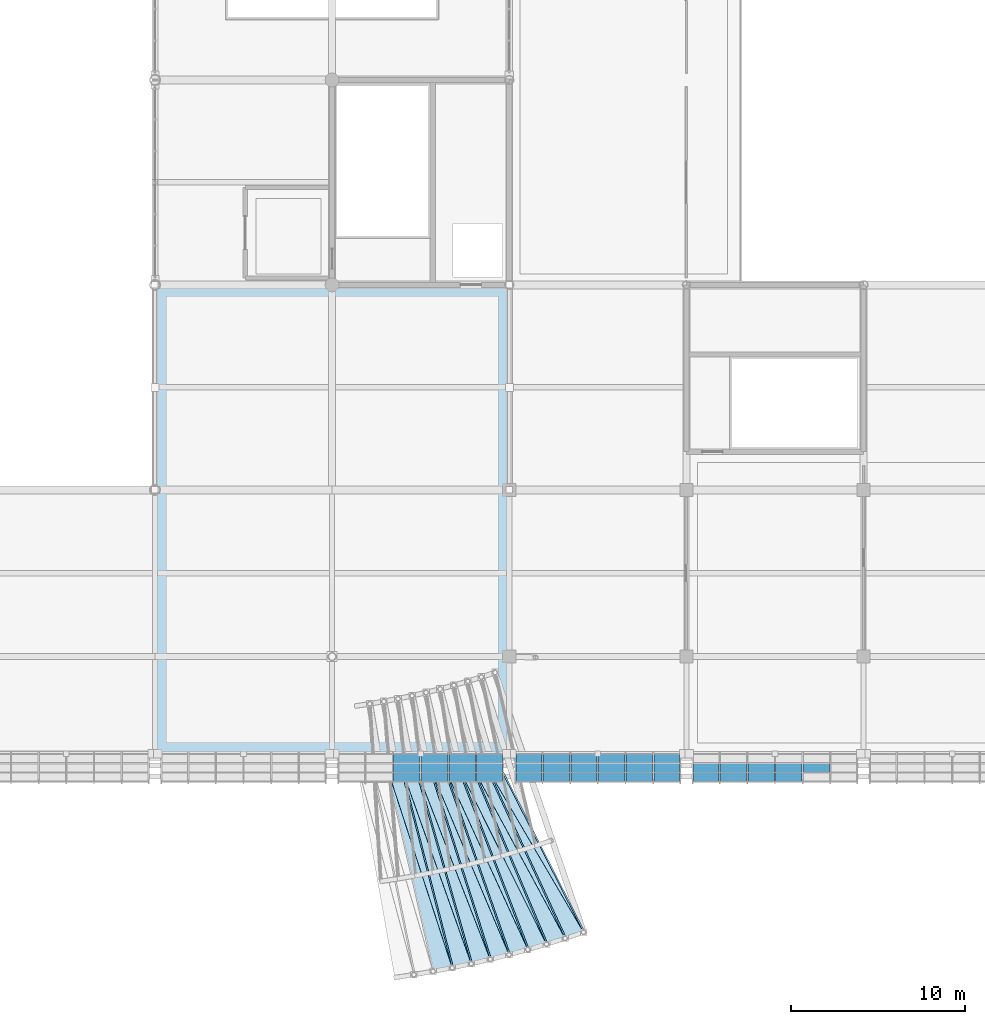
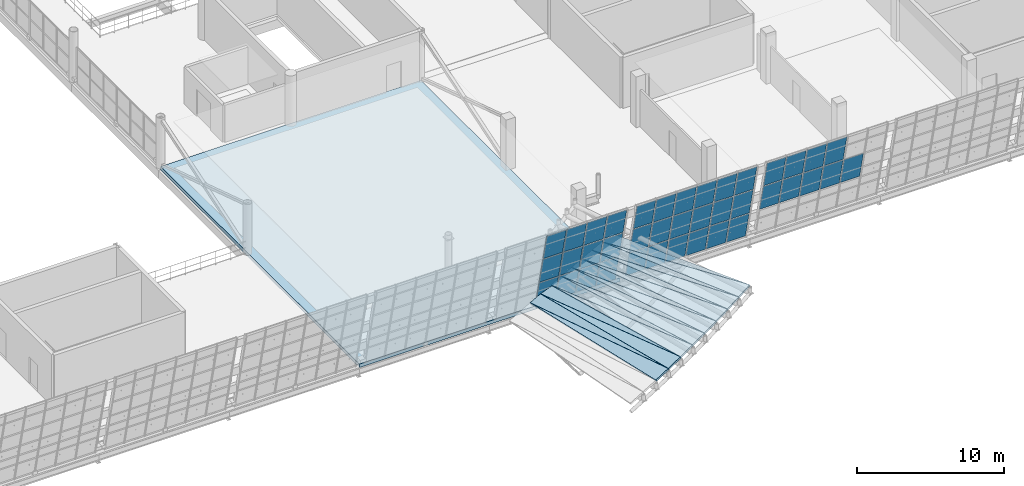
# One storey, part 111 of 157: 39 plates, 17 slabs, 3 elements without a shape of their own.
"""IFC4 building model written with IfcOpenShell, lengths in metres."""

from ifc_helpers import new_model, si_unit, direction, frame, origin, place, context, subcontext, project, spatial, polyline, outline, extrude, material, layer, layer_set, type_object, element, aggregate, save


model = new_model("IFC4")

# Units and contexts
model_context = context("Model", 3, precision=1e-05, world=origin(), true_north=direction((0.0, 1.0)))
body_context = subcontext(model_context, "Body", "Model", "MODEL_VIEW")
ifc_project = project(units=[si_unit("LENGTHUNIT", "METRE"), si_unit("AREAUNIT", "SQUARE_METRE"), si_unit("VOLUMEUNIT", "CUBIC_METRE"), si_unit("PLANEANGLEUNIT", "RADIAN"), si_unit("MASSUNIT", "GRAM", prefix="KILO")], contexts=[model_context])

# Site, building, storey
site_placement = place(None, origin())
site = spatial("IfcSite", under=ifc_project, at=site_placement, CompositionType="ELEMENT")
building_placement = place(site_placement, origin())
building = spatial("IfcBuilding", under=site, at=building_placement, Name="Brelvane Convention Centre", CompositionType="ELEMENT")
storey_placement = place(building_placement, frame((0.0, 0.0, 10.800048828125)))
storey = spatial("IfcBuildingStorey", under=building, at=storey_placement, Name="L02", CompositionType="ELEMENT", Elevation=10.800048828125)

# Curtain wall, plates
ifc_material_1 = material(Name="Anodised Aluminium Alloy 6063-T6", Category="aluminium")
curtain_wall_type = type_object("IfcCurtainWallType", Name="Curtain Wall CW-HULL-S", PredefinedType="USERDEFINED", material=ifc_material_1)
curtain_wall_1_placement = place(storey_placement, origin())
curtain_wall_1 = element("IfcCurtainWall", 1, at=curtain_wall_1_placement, inside=storey, type_object=curtain_wall_type, Name="Curtain Wall CW-HULL-S L02-HULL-S-L02-16", ObjectType="UNITISED", PredefinedType="USERDEFINED")
ifc_material_2 = material(Name="Double Glazed Low-E Laminated Unit")
ifc_layer_1 = layer(ifc_material_2, 0.0380859375)
ifc_layer_set_1 = layer_set([ifc_layer_1], Name="Double Glazed Low-E Laminated Unit")
plate_type_1 = type_object("IfcPlateType", Name="Curtain Panel CW-PG2", PredefinedType="CURTAIN_PANEL", material=ifc_layer_set_1)
plate_1_placement = place(storey_placement, frame((156.546630859375, 13.05517578125, 2.3232421875), z_axis=(0.0, 0.973573977576, 0.228371868203), x_axis=(1.0, 0.0, 0.0)))
plate_1 = element("IfcPlate", 2, at=plate_1_placement, type_object=plate_type_1, Name="CW-HULL-S panel 3.2", PredefinedType="CURTAIN_PANEL", context=body_context, shape_type="SweptSolid", body=[
    extrude(outline(polyline([(0.0, 0.0), (1.513427734375, 0.0), (1.513427734375, -2.2631758771022032), (0.0, -2.2631758771022032), (0.0, 0.0)])), origin(), (0.0, 0.0, -1.0), 0.0380859375),
])
plate_2_placement = place(storey_placement, frame((156.546630859375, 12.51953125, 4.606689453125), z_axis=(0.0, 0.973586933466, 0.228316628794), x_axis=(1.0, 0.0, 0.0)))
plate_2 = element("IfcPlate", 3, at=plate_2_placement, type_object=plate_type_1, Name="CW-HULL-S panel 3.3", PredefinedType="CURTAIN_PANEL", context=body_context, shape_type="SweptSolid", body=[
    extrude(outline(polyline([(0.0, 0.0), (1.513427734375, 0.0), (1.513427734375, -2.2220204521674902), (0.0, -2.2220204521674902), (0.0, 0.0)])), origin(), (0.0, 0.0, -1.0), 0.0380859375),
])
plate_3_placement = place(storey_placement, frame((158.139892578125, 13.05517578125, 2.3232421875), z_axis=(0.0, 0.973573977576, 0.228371868203), x_axis=(1.0, 0.0, 0.0)))
plate_3 = element("IfcPlate", 4, at=plate_3_placement, type_object=plate_type_1, Name="CW-HULL-S panel 4.2", PredefinedType="CURTAIN_PANEL", context=body_context, shape_type="SweptSolid", body=[
    extrude(outline(polyline([(0.0, 0.0), (1.513427734375, 0.0), (1.513427734375, -2.2631758771022032), (0.0, -2.2631758771022032), (0.0, 0.0)])), origin(), (0.0, 0.0, -1.0), 0.0380859375),
])
plate_4_placement = place(storey_placement, frame((158.139892578125, 12.51953125, 4.606689453125), z_axis=(0.0, 0.973586933466, 0.228316628794), x_axis=(1.0, 0.0, 0.0)))
plate_4 = element("IfcPlate", 5, at=plate_4_placement, type_object=plate_type_1, Name="CW-HULL-S panel 4.3", PredefinedType="CURTAIN_PANEL", context=body_context, shape_type="SweptSolid", body=[
    extrude(outline(polyline([(0.0, 0.0), (1.513427734375, 0.0), (1.513427734375, -2.2220204521674902), (0.0, -2.2220204521674902), (0.0, 0.0)])), origin(), (0.0, 0.0, -1.0), 0.0380859375),
])
plate_5_placement = place(storey_placement, frame((159.7333984375, 13.05517578125, 2.3232421875), z_axis=(0.0, 0.973573977576, 0.228371868203), x_axis=(1.0, 0.0, 0.0)))
plate_5 = element("IfcPlate", 6, at=plate_5_placement, type_object=plate_type_1, Name="CW-HULL-S panel 5.2", PredefinedType="CURTAIN_PANEL", context=body_context, shape_type="SweptSolid", body=[
    extrude(outline(polyline([(0.0, 0.0), (1.51318359375, 0.0), (1.51318359375, -2.2631758771022032), (0.0, -2.2631758771022032), (0.0, 0.0)])), origin(), (0.0, 0.0, -1.0), 0.0380859375),
])
plate_6_placement = place(storey_placement, frame((159.7333984375, 12.51953125, 4.606689453125), z_axis=(0.0, 0.973586933466, 0.228316628794), x_axis=(1.0, 0.0, 0.0)))
plate_6 = element("IfcPlate", 7, at=plate_6_placement, type_object=plate_type_1, Name="CW-HULL-S panel 5.3", PredefinedType="CURTAIN_PANEL", context=body_context, shape_type="SweptSolid", body=[
    extrude(outline(polyline([(0.0, 0.0), (1.51318359375, 0.0), (1.51318359375, -2.2220204521674902), (0.0, -2.2220204521674902), (0.0, 0.0)])), origin(), (0.0, 0.0, -1.0), 0.0380859375),
])
plate_7_placement = place(storey_placement, frame((161.32666015625, 13.05517578125, 2.3232421875), z_axis=(0.0, 0.973573977576, 0.228371868203), x_axis=(1.0, 0.0, 0.0)))
plate_7 = element("IfcPlate", 8, at=plate_7_placement, type_object=plate_type_1, Name="CW-HULL-S panel 6.2", PredefinedType="CURTAIN_PANEL", context=body_context, shape_type="SweptSolid", body=[
    extrude(outline(polyline([(0.0, 0.0), (1.473388671875, 0.0), (1.473388671875, -2.2631758771022032), (0.0, -2.2631758771022032), (0.0, 0.0)])), origin(), (0.0, 0.0, -1.0), 0.0380859375),
])
plate_8_placement = place(storey_placement, frame((161.32666015625, 12.51953125, 4.606689453125), z_axis=(0.0, 0.973586933466, 0.228316628794), x_axis=(1.0, 0.0, 0.0)))
plate_8 = element("IfcPlate", 9, at=plate_8_placement, type_object=plate_type_1, Name="CW-HULL-S panel 6.3", PredefinedType="CURTAIN_PANEL", context=body_context, shape_type="SweptSolid", body=[
    extrude(outline(polyline([(0.0, 0.0), (1.473388671875, 0.0), (1.473388671875, -2.2220204521674902), (0.0, -2.2220204521674902), (0.0, 0.0)])), origin(), (0.0, 0.0, -1.0), 0.0380859375),
])

curtain_wall_2_placement = place(storey_placement, origin())
curtain_wall_2 = element("IfcCurtainWall", 10, at=curtain_wall_2_placement, inside=storey, type_object=curtain_wall_type, Name="Curtain Wall CW-HULL-S L02-HULL-S-L02-17", ObjectType="UNITISED", PredefinedType="USERDEFINED")
plate_9_placement = place(storey_placement, frame((163.60009765625, 13.05517578125, 2.3232421875), z_axis=(0.0, 0.973573977576, 0.228371868203), x_axis=(1.0, 0.0, 0.0)))
plate_9 = element("IfcPlate", 11, at=plate_9_placement, type_object=plate_type_1, Name="CW-HULL-S panel 1.2", PredefinedType="CURTAIN_PANEL", context=body_context, shape_type="SweptSolid", body=[
    extrude(outline(polyline([(0.0, 0.0), (1.47314453125, 0.0), (1.47314453125, -2.2631758771022032), (0.0, -2.2631758771022032), (0.0, 0.0)])), origin(), (0.0, 0.0, -1.0), 0.0380859375),
])
plate_10_placement = place(storey_placement, frame((163.60009765625, 12.51953125, 4.606689453125), z_axis=(0.0, 0.973586933466, 0.228316628794), x_axis=(1.0, 0.0, 0.0)))
plate_10 = element("IfcPlate", 12, at=plate_10_placement, type_object=plate_type_1, Name="CW-HULL-S panel 1.3", PredefinedType="CURTAIN_PANEL", context=body_context, shape_type="SweptSolid", body=[
    extrude(outline(polyline([(0.0, 0.0), (1.47314453125, 0.0), (1.47314453125, -2.2220204521674902), (0.0, -2.2220204521674902), (0.0, 0.0)])), origin(), (0.0, 0.0, -1.0), 0.0380859375),
])
plate_11_placement = place(storey_placement, frame((165.1533203125, 13.05517578125, 2.3232421875), z_axis=(0.0, 0.973573977576, 0.228371868203), x_axis=(1.0, 0.0, 0.0)))
plate_11 = element("IfcPlate", 13, at=plate_11_placement, type_object=plate_type_1, Name="CW-HULL-S panel 2.2", PredefinedType="CURTAIN_PANEL", context=body_context, shape_type="SweptSolid", body=[
    extrude(outline(polyline([(0.0, 0.0), (1.513427734375, 0.0), (1.513427734375, -2.2631758771022032), (0.0, -2.2631758771022032), (0.0, 0.0)])), origin(), (0.0, 0.0, -1.0), 0.0380859375),
])
plate_12_placement = place(storey_placement, frame((165.1533203125, 12.51953125, 4.606689453125), z_axis=(0.0, 0.973586933466, 0.228316628794), x_axis=(1.0, 0.0, 0.0)))
plate_12 = element("IfcPlate", 14, at=plate_12_placement, type_object=plate_type_1, Name="CW-HULL-S panel 2.3", PredefinedType="CURTAIN_PANEL", context=body_context, shape_type="SweptSolid", body=[
    extrude(outline(polyline([(0.0, 0.0), (1.513427734375, 0.0), (1.513427734375, -2.2220204521674902), (0.0, -2.2220204521674902), (0.0, 0.0)])), origin(), (0.0, 0.0, -1.0), 0.0380859375),
])
plate_13_placement = place(storey_placement, frame((166.74658203125, 13.05517578125, 2.3232421875), z_axis=(0.0, 0.973573977576, 0.228371868203), x_axis=(1.0, 0.0, 0.0)))
plate_13 = element("IfcPlate", 15, at=plate_13_placement, type_object=plate_type_1, Name="CW-HULL-S panel 3.2", PredefinedType="CURTAIN_PANEL", context=body_context, shape_type="SweptSolid", body=[
    extrude(outline(polyline([(0.0, 0.0), (1.513427734375, 0.0), (1.513427734375, -2.2631758771022032), (0.0, -2.2631758771022032), (0.0, 0.0)])), origin(), (0.0, 0.0, -1.0), 0.0380859375),
])
plate_14_placement = place(storey_placement, frame((166.74658203125, 12.51953125, 4.606689453125), z_axis=(0.0, 0.973586933466, 0.228316628794), x_axis=(1.0, 0.0, 0.0)))
plate_14 = element("IfcPlate", 16, at=plate_14_placement, type_object=plate_type_1, Name="CW-HULL-S panel 3.3", PredefinedType="CURTAIN_PANEL", context=body_context, shape_type="SweptSolid", body=[
    extrude(outline(polyline([(0.0, 0.0), (1.513427734375, 0.0), (1.513427734375, -2.2220204521674902), (0.0, -2.2220204521674902), (0.0, 0.0)])), origin(), (0.0, 0.0, -1.0), 0.0380859375),
])
plate_15_placement = place(storey_placement, frame((168.340087890625, 13.05517578125, 2.3232421875), z_axis=(0.0, 0.973573977576, 0.228371868203), x_axis=(1.0, 0.0, 0.0)))
plate_15 = element("IfcPlate", 17, at=plate_15_placement, type_object=plate_type_1, Name="CW-HULL-S panel 4.2", PredefinedType="CURTAIN_PANEL", context=body_context, shape_type="SweptSolid", body=[
    extrude(outline(polyline([(0.0, 0.0), (1.51318359375, 0.0), (1.51318359375, -2.2631758771022032), (0.0, -2.2631758771022032), (0.0, 0.0)])), origin(), (0.0, 0.0, -1.0), 0.0380859375),
])
plate_16_placement = place(storey_placement, frame((168.340087890625, 12.51953125, 4.606689453125), z_axis=(0.0, 0.973586933466, 0.228316628794), x_axis=(1.0, 0.0, 0.0)))
plate_16 = element("IfcPlate", 18, at=plate_16_placement, type_object=plate_type_1, Name="CW-HULL-S panel 4.3", PredefinedType="CURTAIN_PANEL", context=body_context, shape_type="SweptSolid", body=[
    extrude(outline(polyline([(0.0, 0.0), (1.51318359375, 0.0), (1.51318359375, -2.2220204521674902), (0.0, -2.2220204521674902), (0.0, 0.0)])), origin(), (0.0, 0.0, -1.0), 0.0380859375),
])
plate_17_placement = place(storey_placement, frame((169.933349609375, 13.05517578125, 2.3232421875), z_axis=(0.0, 0.973573977576, 0.228371868203), x_axis=(1.0, 0.0, 0.0)))
plate_17 = element("IfcPlate", 19, at=plate_17_placement, type_object=plate_type_1, Name="CW-HULL-S panel 5.2", PredefinedType="CURTAIN_PANEL", context=body_context, shape_type="SweptSolid", body=[
    extrude(outline(polyline([(0.0, 0.0), (1.513427734375, 0.0), (1.513427734375, -2.2631758771022032), (0.0, -2.2631758771022032), (0.0, 0.0)])), origin(), (0.0, 0.0, -1.0), 0.0380859375),
])
plate_18_placement = place(storey_placement, frame((169.933349609375, 12.51953125, 4.606689453125), z_axis=(0.0, 0.973586933466, 0.228316628794), x_axis=(1.0, 0.0, 0.0)))
plate_18 = element("IfcPlate", 20, at=plate_18_placement, type_object=plate_type_1, Name="CW-HULL-S panel 5.3", PredefinedType="CURTAIN_PANEL", context=body_context, shape_type="SweptSolid", body=[
    extrude(outline(polyline([(0.0, 0.0), (1.513427734375, 0.0), (1.513427734375, -2.2220204521674902), (0.0, -2.2220204521674902), (0.0, 0.0)])), origin(), (0.0, 0.0, -1.0), 0.0380859375),
])
plate_19_placement = place(storey_placement, frame((171.526611328125, 13.05517578125, 2.3232421875), z_axis=(0.0, 0.973573977576, 0.228371868203), x_axis=(1.0, 0.0, 0.0)))
plate_19 = element("IfcPlate", 21, at=plate_19_placement, type_object=plate_type_1, Name="CW-HULL-S panel 6.2", PredefinedType="CURTAIN_PANEL", context=body_context, shape_type="SweptSolid", body=[
    extrude(outline(polyline([(0.0, 0.0), (1.473388671875, 0.0), (1.473388671875, -2.2631758771022032), (0.0, -2.2631758771022032), (0.0, 0.0)])), origin(), (0.0, 0.0, -1.0), 0.0380859375),
])
plate_20_placement = place(storey_placement, frame((171.526611328125, 12.51953125, 4.606689453125), z_axis=(0.0, 0.973586933466, 0.228316628794), x_axis=(1.0, 0.0, 0.0)))
plate_20 = element("IfcPlate", 22, at=plate_20_placement, type_object=plate_type_1, Name="CW-HULL-S panel 6.3", PredefinedType="CURTAIN_PANEL", context=body_context, shape_type="SweptSolid", body=[
    extrude(outline(polyline([(0.0, 0.0), (1.473388671875, 0.0), (1.473388671875, -2.2220204521674902), (0.0, -2.2220204521674902), (0.0, 0.0)])), origin(), (0.0, 0.0, -1.0), 0.0380859375),
])

curtain_wall_3_placement = place(storey_placement, origin())
curtain_wall_3 = element("IfcCurtainWall", 23, at=curtain_wall_3_placement, inside=storey, type_object=curtain_wall_type, Name="Curtain Wall CW-HULL-S L02-HULL-S-L02-18", ObjectType="UNITISED", PredefinedType="USERDEFINED")
plate_21_placement = place(storey_placement, frame((173.800048828125, 13.05517578125, 2.3232421875), z_axis=(0.0, 0.973573977576, 0.228371868203), x_axis=(1.0, 0.0, 0.0)))
plate_21 = element("IfcPlate", 24, at=plate_21_placement, type_object=plate_type_1, Name="CW-HULL-S panel 1.2", PredefinedType="CURTAIN_PANEL", context=body_context, shape_type="SweptSolid", body=[
    extrude(outline(polyline([(0.0, 0.0), (1.473388671875, 0.0), (1.473388671875, -2.2631758771022032), (0.0, -2.2631758771022032), (0.0, 0.0)])), origin(), (0.0, 0.0, -1.0), 0.0380859375),
])
plate_22_placement = place(storey_placement, frame((173.800048828125, 12.51953125, 4.606689453125), z_axis=(0.0, 0.973586933466, 0.228316628794), x_axis=(1.0, 0.0, 0.0)))
plate_22 = element("IfcPlate", 25, at=plate_22_placement, type_object=plate_type_1, Name="CW-HULL-S panel 1.3", PredefinedType="CURTAIN_PANEL", context=body_context, shape_type="SweptSolid", body=[
    extrude(outline(polyline([(0.0, 0.0), (1.473388671875, 0.0), (1.473388671875, -2.2220204521674902), (0.0, -2.2220204521674902), (0.0, 0.0)])), origin(), (0.0, 0.0, -1.0), 0.0380859375),
])
plate_23_placement = place(storey_placement, frame((175.353271484375, 13.05517578125, 2.3232421875), z_axis=(0.0, 0.973573977576, 0.228371868203), x_axis=(1.0, 0.0, 0.0)))
plate_23 = element("IfcPlate", 26, at=plate_23_placement, type_object=plate_type_1, Name="CW-HULL-S panel 2.2", PredefinedType="CURTAIN_PANEL", context=body_context, shape_type="SweptSolid", body=[
    extrude(outline(polyline([(0.0, 0.0), (1.513427734375, 0.0), (1.513427734375, -2.2631758771022032), (0.0, -2.2631758771022032), (0.0, 0.0)])), origin(), (0.0, 0.0, -1.0), 0.0380859375),
])
plate_24_placement = place(storey_placement, frame((175.353271484375, 12.51953125, 4.606689453125), z_axis=(0.0, 0.973586933466, 0.228316628794), x_axis=(1.0, 0.0, 0.0)))
plate_24 = element("IfcPlate", 27, at=plate_24_placement, type_object=plate_type_1, Name="CW-HULL-S panel 2.3", PredefinedType="CURTAIN_PANEL", context=body_context, shape_type="SweptSolid", body=[
    extrude(outline(polyline([(0.0, 0.0), (1.513427734375, 0.0), (1.513427734375, -2.2220204521674902), (0.0, -2.2220204521674902), (0.0, 0.0)])), origin(), (0.0, 0.0, -1.0), 0.0380859375),
])
plate_25_placement = place(storey_placement, frame((176.94677734375, 13.05517578125, 2.3232421875), z_axis=(0.0, 0.973573977576, 0.228371868203), x_axis=(1.0, 0.0, 0.0)))
plate_25 = element("IfcPlate", 28, at=plate_25_placement, type_object=plate_type_1, Name="CW-HULL-S panel 3.2", PredefinedType="CURTAIN_PANEL", context=body_context, shape_type="SweptSolid", body=[
    extrude(outline(polyline([(0.0, 0.0), (1.51318359375, 0.0), (1.51318359375, -2.2631758771022032), (0.0, -2.2631758771022032), (0.0, 0.0)])), origin(), (0.0, 0.0, -1.0), 0.0380859375),
])
plate_26_placement = place(storey_placement, frame((176.94677734375, 12.51953125, 4.606689453125), z_axis=(0.0, 0.973586933466, 0.228316628794), x_axis=(1.0, 0.0, 0.0)))
plate_26 = element("IfcPlate", 29, at=plate_26_placement, type_object=plate_type_1, Name="CW-HULL-S panel 3.3", PredefinedType="CURTAIN_PANEL", context=body_context, shape_type="SweptSolid", body=[
    extrude(outline(polyline([(0.0, 0.0), (1.51318359375, 0.0), (1.51318359375, -2.2220204521674902), (0.0, -2.2220204521674902), (0.0, 0.0)])), origin(), (0.0, 0.0, -1.0), 0.0380859375),
])
plate_27_placement = place(storey_placement, frame((178.5400390625, 13.05517578125, 2.3232421875), z_axis=(0.0, 0.973573977576, 0.228371868203), x_axis=(1.0, 0.0, 0.0)))
plate_27 = element("IfcPlate", 30, at=plate_27_placement, type_object=plate_type_1, Name="CW-HULL-S panel 4.2", PredefinedType="CURTAIN_PANEL", context=body_context, shape_type="SweptSolid", body=[
    extrude(outline(polyline([(0.0, 0.0), (1.51318359375, 0.0), (1.51318359375, -2.2631758771022032), (0.0, -2.2631758771022032), (0.0, 0.0)])), origin(), (0.0, 0.0, -1.0), 0.0380859375),
])
plate_28_placement = place(storey_placement, frame((178.5400390625, 12.51953125, 4.606689453125), z_axis=(0.0, 0.973586933466, 0.228316628794), x_axis=(1.0, 0.0, 0.0)))
plate_28 = element("IfcPlate", 31, at=plate_28_placement, type_object=plate_type_1, Name="CW-HULL-S panel 4.3", PredefinedType="CURTAIN_PANEL", context=body_context, shape_type="SweptSolid", body=[
    extrude(outline(polyline([(0.0, 0.0), (1.51318359375, 0.0), (1.51318359375, -2.2220204521674902), (0.0, -2.2220204521674902), (0.0, 0.0)])), origin(), (0.0, 0.0, -1.0), 0.0380859375),
])
plate_29_placement = place(storey_placement, frame((180.13330078125, 13.05517578125, 2.3232421875), z_axis=(0.0, 0.973573977576, 0.228371868203), x_axis=(1.0, 0.0, 0.0)))
plate_29 = element("IfcPlate", 32, at=plate_29_placement, type_object=plate_type_1, Name="CW-HULL-S panel 5.2", PredefinedType="CURTAIN_PANEL", context=body_context, shape_type="SweptSolid", body=[
    extrude(outline(polyline([(0.0, 0.0), (1.513427734375, 0.0), (1.513427734375, -2.2631758771022032), (0.0, -2.2631758771022032), (0.0, 0.0)])), origin(), (0.0, 0.0, -1.0), 0.0380859375),
])
aggregate(curtain_wall_3, [plate_21, plate_22, plate_23, plate_24, plate_25, plate_26, plate_27, plate_28, plate_29])

# Plate
ifc_material_3 = material(Name="Patinated Copper-Bronze Alloy C22000")
ifc_layer_2 = layer(ifc_material_3, 0.055908203125)
ifc_layer_set_2 = layer_set([ifc_layer_2], Name="Patinated Copper-Bronze Alloy C22000")
plate_type_2 = type_object("IfcPlateType", Name="Curtain Panel CW-PS2", PredefinedType="CURTAIN_PANEL", material=ifc_layer_set_2)
plate_30_placement = place(storey_placement, frame((156.546630859375, 13.581298828125, 0.079833984375), z_axis=(0.0, 0.973562505213, 0.228420770606), x_axis=(1.0, 0.0, 0.0)))
plate_30 = element("IfcPlate", 33, at=plate_30_placement, type_object=plate_type_2, Name="CW-HULL-S panel 3.1", PredefinedType="CURTAIN_PANEL", context=body_context, shape_type="SweptSolid", body=[
    extrude(outline(polyline([(0.0, 0.0), (1.513427734375, 0.0), (1.513427734375, -2.2220762062447244), (0.0, -2.2220762062447244), (0.0, 0.0)])), origin(), (0.0, 0.0, -1.0), 0.0380859375),
])

plate_31_placement = place(storey_placement, frame((158.139892578125, 13.581298828125, 0.079833984375), z_axis=(0.0, 0.973562505213, 0.228420770606), x_axis=(1.0, 0.0, 0.0)))
plate_31 = element("IfcPlate", 34, at=plate_31_placement, type_object=plate_type_2, Name="CW-HULL-S panel 4.1", PredefinedType="CURTAIN_PANEL", context=body_context, shape_type="SweptSolid", body=[
    extrude(outline(polyline([(0.0, 0.0), (1.513427734375, 0.0), (1.513427734375, -2.2220762062447244), (0.0, -2.2220762062447244), (0.0, 0.0)])), origin(), (0.0, 0.0, -1.0), 0.0380859375),
])

plate_32_placement = place(storey_placement, frame((159.7333984375, 13.581298828125, 0.079833984375), z_axis=(0.0, 0.973562505213, 0.228420770606), x_axis=(1.0, 0.0, 0.0)))
plate_32 = element("IfcPlate", 35, at=plate_32_placement, type_object=plate_type_2, Name="CW-HULL-S panel 5.1", PredefinedType="CURTAIN_PANEL", context=body_context, shape_type="SweptSolid", body=[
    extrude(outline(polyline([(0.0, 0.0), (1.51318359375, 0.0), (1.51318359375, -2.2220762062447244), (0.0, -2.2220762062447244), (0.0, 0.0)])), origin(), (0.0, 0.0, -1.0), 0.0380859375),
])

plate_33_placement = place(storey_placement, frame((161.32666015625, 13.581298828125, 0.079833984375), z_axis=(0.0, 0.973562505213, 0.228420770606), x_axis=(1.0, 0.0, 0.0)))
plate_33 = element("IfcPlate", 36, at=plate_33_placement, type_object=plate_type_2, Name="CW-HULL-S panel 6.1", PredefinedType="CURTAIN_PANEL", context=body_context, shape_type="SweptSolid", body=[
    extrude(outline(polyline([(0.0, 0.0), (1.473388671875, 0.0), (1.473388671875, -2.222076206244725), (0.0, -2.222076206244725), (0.0, 0.0)])), origin(), (0.0, 0.0, -1.0), 0.0380859375),
])

aggregate(curtain_wall_1, [plate_30, plate_1, plate_2, plate_31, plate_3, plate_4, plate_32, plate_5, plate_6, plate_33, plate_7, plate_8])

plate_34_placement = place(storey_placement, frame((163.60009765625, 13.581298828125, 0.079833984375), z_axis=(0.0, 0.973562505213, 0.228420770606), x_axis=(1.0, 0.0, 0.0)))
plate_34 = element("IfcPlate", 37, at=plate_34_placement, type_object=plate_type_2, Name="CW-HULL-S panel 1.1", PredefinedType="CURTAIN_PANEL", context=body_context, shape_type="SweptSolid", body=[
    extrude(outline(polyline([(0.0, 0.0), (1.47314453125, 0.0), (1.47314453125, -2.222076206244725), (0.0, -2.222076206244725), (0.0, 0.0)])), origin(), (0.0, 0.0, -1.0), 0.0380859375),
])

plate_35_placement = place(storey_placement, frame((165.1533203125, 13.581298828125, 0.079833984375), z_axis=(0.0, 0.973562505213, 0.228420770606), x_axis=(1.0, 0.0, 0.0)))
plate_35 = element("IfcPlate", 38, at=plate_35_placement, type_object=plate_type_2, Name="CW-HULL-S panel 2.1", PredefinedType="CURTAIN_PANEL", context=body_context, shape_type="SweptSolid", body=[
    extrude(outline(polyline([(0.0, 0.0), (1.513427734375, 0.0), (1.513427734375, -2.2220762062447244), (0.0, -2.2220762062447244), (0.0, 0.0)])), origin(), (0.0, 0.0, -1.0), 0.0380859375),
])

plate_36_placement = place(storey_placement, frame((166.74658203125, 13.581298828125, 0.079833984375), z_axis=(0.0, 0.973562505213, 0.228420770606), x_axis=(1.0, 0.0, 0.0)))
plate_36 = element("IfcPlate", 39, at=plate_36_placement, type_object=plate_type_2, Name="CW-HULL-S panel 3.1", PredefinedType="CURTAIN_PANEL", context=body_context, shape_type="SweptSolid", body=[
    extrude(outline(polyline([(0.0, 0.0), (1.513427734375, 0.0), (1.513427734375, -2.2220762062447244), (0.0, -2.2220762062447244), (0.0, 0.0)])), origin(), (0.0, 0.0, -1.0), 0.0380859375),
])

plate_37_placement = place(storey_placement, frame((168.340087890625, 13.581298828125, 0.079833984375), z_axis=(0.0, 0.973562505213, 0.228420770606), x_axis=(1.0, 0.0, 0.0)))
plate_37 = element("IfcPlate", 40, at=plate_37_placement, type_object=plate_type_2, Name="CW-HULL-S panel 4.1", PredefinedType="CURTAIN_PANEL", context=body_context, shape_type="SweptSolid", body=[
    extrude(outline(polyline([(0.0, 0.0), (1.51318359375, 0.0), (1.51318359375, -2.2220762062447244), (0.0, -2.2220762062447244), (0.0, 0.0)])), origin(), (0.0, 0.0, -1.0), 0.0380859375),
])

plate_38_placement = place(storey_placement, frame((169.933349609375, 13.581298828125, 0.079833984375), z_axis=(0.0, 0.973562505213, 0.228420770606), x_axis=(1.0, 0.0, 0.0)))
plate_38 = element("IfcPlate", 41, at=plate_38_placement, type_object=plate_type_2, Name="CW-HULL-S panel 5.1", PredefinedType="CURTAIN_PANEL", context=body_context, shape_type="SweptSolid", body=[
    extrude(outline(polyline([(0.0, 0.0), (1.513427734375, 0.0), (1.513427734375, -2.2220762062447244), (0.0, -2.2220762062447244), (0.0, 0.0)])), origin(), (0.0, 0.0, -1.0), 0.0380859375),
])

plate_39_placement = place(storey_placement, frame((171.526611328125, 13.581298828125, 0.079833984375), z_axis=(0.0, 0.973562505213, 0.228420770606), x_axis=(1.0, 0.0, 0.0)))
plate_39 = element("IfcPlate", 42, at=plate_39_placement, type_object=plate_type_2, Name="CW-HULL-S panel 6.1", PredefinedType="CURTAIN_PANEL", context=body_context, shape_type="SweptSolid", body=[
    extrude(outline(polyline([(0.0, 0.0), (1.473388671875, 0.0), (1.473388671875, -2.222076206244725), (0.0, -2.222076206244725), (0.0, 0.0)])), origin(), (0.0, 0.0, -1.0), 0.0380859375),
])

aggregate(curtain_wall_2, [plate_34, plate_9, plate_10, plate_35, plate_11, plate_12, plate_36, plate_13, plate_14, plate_37, plate_15, plate_16, plate_38, plate_17, plate_18, plate_39, plate_19, plate_20])

# Slabs
ifc_material_4 = material(Name="Concrete M40", Category="concrete")
ifc_layer_3 = layer(ifc_material_4, 0.280029296875)
ifc_layer_set_3 = layer_set([ifc_layer_3], Name="Concrete M40")
slab_type_1 = type_object("IfcSlabType", Name="Structural Slab SL-FLR-280", PredefinedType="FLOOR", material=ifc_layer_set_3)
slab_1_placement = place(storey_placement, frame((0.0, 0.0, -0.280029296875)))
element("IfcSlab", 43, at=slab_1_placement, inside=storey, type_object=slab_type_1, Name="L02 Floor Slab SPINE-S", PredefinedType="FLOOR", context=body_context, shape_type="SweptSolid", body=[
    extrude(outline(polyline([(142.800048828125, 13.60009765625), (163.199951171875, 13.60009765625), (163.199951171875, 40.60009765625), (142.800048828125, 40.60009765625), (142.800048828125, 13.60009765625)])), origin(), (0.0, 0.0, 1.0), 0.280029296875),
])
ifc_material_5 = material(Name="Steel E350 (350 MPa)", Category="steel")
ifc_layer_4 = layer(ifc_material_5, 0.159912109375)
ifc_layer_set_4 = layer_set([ifc_layer_4], Name="Steel E350 (350 MPa)")
slab_type_2 = type_object("IfcSlabType", Name="Structural Slab SL-ROOF-CN-160", PredefinedType="ROOF", material=ifc_layer_set_4)
slab_2_placement = place(storey_placement, frame((162.400146484375, 13.30859375, 4.15478515625), z_axis=(-0.461252481306, -0.23446109081, 0.855730182584), x_axis=(0.453262002846, -0.891377332621, 8.7553024e-05)))
element("IfcSlab", 44, at=slab_2_placement, inside=storey, type_object=slab_type_2, Name="Boulevard Sweeping Canopy Roof Panel 03A", PredefinedType="ROOF", context=body_context, shape_type="SweptSolid", body=[
    extrude(outline(polyline([(0.0, 0.0), (11.153955175489266, -6.280783185208527e-16), (-0.35630160358355595, -0.8086737425720649), (0.0, 0.0)])), origin(), (0.0, 0.0, -1.0), 0.159912109375),
])
slab_3_placement = place(storey_placement, frame((167.451171875, 3.363037109375, 4.1533203125), z_axis=(-0.322531381919, -0.149728254599, 0.934641619795), x_axis=(-0.888780314891, -0.291792145144, -0.353449990655)))
element("IfcSlab", 45, at=slab_3_placement, inside=storey, type_object=slab_type_2, Name="Boulevard Sweeping Canopy Roof Panel 03B", PredefinedType="ROOF", context=body_context, shape_type="SweptSolid", body=[
    extrude(outline(polyline([(0.0, 0.0), (1.1839214664411248, -2.7755575615628914e-17), (2.43019433249267, -11.280292629574369), (0.0, 0.0)])), origin(), (0.0, 0.0, -1.0), 0.159912109375),
])
slab_4_placement = place(storey_placement, frame((161.61328125, 13.30810546875, 3.7314453125), z_axis=(-0.465085313766, -0.215939535271, 0.858525345011), x_axis=(0.421220649852, -0.906958190863, 6.4538404e-05)))
element("IfcSlab", 46, at=slab_4_placement, inside=storey, type_object=slab_type_2, Name="Boulevard Sweeping Canopy Roof Panel 04A", PredefinedType="ROOF", context=body_context, shape_type="SweptSolid", body=[
    extrude(outline(polyline([(0.0, 0.0), (11.348620821850716, 9.839134715305953e-16), (-0.33304434114780745, -0.8250741654566106), (0.0, 0.0)])), origin(), (0.0, 0.0, -1.0), 0.159912109375),
])
slab_5_placement = place(storey_placement, frame((166.388916015625, 3.0126953125, 3.729736328125), z_axis=(-0.33008340727, -0.139890333585, 0.933528595606), x_axis=(-0.892716220276, -0.275125460274, -0.35688055588)))
element("IfcSlab", 47, at=slab_5_placement, inside=storey, type_object=slab_type_2, Name="Boulevard Sweeping Canopy Roof Panel 04B", PredefinedType="ROOF", context=body_context, shape_type="SweptSolid", body=[
    extrude(outline(polyline([(0.0, 0.0), (1.18553867997129, 4.683753385137379e-17), (2.284057518371659, -11.486067758285943), (0.0, 0.0)])), origin(), (0.0, 0.0, -1.0), 0.159912109375),
])
slab_6_placement = place(storey_placement, frame((160.82177734375, 13.3076171875, 3.303466796875), z_axis=(-0.468738628257, -0.198652569581, 0.860709739098), x_axis=(0.390305305991, -0.920685485975, 6.347804e-05)))
element("IfcSlab", 48, at=slab_6_placement, inside=storey, type_object=slab_type_2, Name="Boulevard Sweeping Canopy Roof Panel 05A", PredefinedType="ROOF", context=body_context, shape_type="SweptSolid", body=[
    extrude(outline(polyline([(0.0, 0.0), (11.53819304944017, -2.3310346708438345e-16), (-0.31029170203598216, -0.8401454247823132), (0.0, 0.0)])), origin(), (0.0, 0.0, -1.0), 0.159912109375),
])
slab_7_placement = place(storey_placement, frame((165.3203125, 2.681884765625, 3.3017578125), z_axis=(-0.337016647614, -0.130153859002, 0.932458981521), x_axis=(-0.896530706845, -0.258061017681, -0.3600516669)))
element("IfcSlab", 49, at=slab_7_placement, inside=storey, type_object=slab_type_2, Name="Boulevard Sweeping Canopy Roof Panel 05B", PredefinedType="ROOF", context=body_context, shape_type="SweptSolid", body=[
    extrude(outline(polyline([(0.0, 0.0), (1.1873024726014925, 1.734723475976807e-18), (2.1541125469434306, -11.681389605671704), (0.0, 0.0)])), origin(), (0.0, 0.0, -1.0), 0.159912109375),
])
slab_8_placement = place(storey_placement, frame((160.026123046875, 13.30712890625, 2.870849609375), z_axis=(-0.471953506833, -0.182269587888, 0.862576190675), x_axis=(0.360400925533, -0.932797494601, 8.3315246e-05)))
element("IfcSlab", 50, at=slab_8_placement, inside=storey, type_object=slab_type_2, Name="Boulevard Sweeping Canopy Roof Panel 06A", PredefinedType="ROOF", context=body_context, shape_type="SweptSolid", body=[
    extrude(outline(polyline([(0.0, 0.0), (11.721294078603675, -5.000340419503146e-16), (-0.28807930521061964, -0.8540851817619222), (0.0, 0.0)])), origin(), (0.0, 0.0, -1.0), 0.159912109375),
])
slab_9_placement = place(storey_placement, frame((164.245849609375, 2.37109375, 2.869384765625), z_axis=(-0.343692224669, -0.120730507846, 0.931289320876), x_axis=(-0.899816674137, -0.241429251377, -0.36337565896)))
element("IfcSlab", 51, at=slab_9_placement, inside=storey, type_object=slab_type_2, Name="Boulevard Sweeping Canopy Roof Panel 06B", PredefinedType="ROOF", context=body_context, shape_type="SweptSolid", body=[
    extrude(outline(polyline([(0.0, 0.0), (1.189207079765848, 1.214306433183765e-17), (2.0292017369014985, -11.867705024304746), (0.0, 0.0)])), origin(), (0.0, 0.0, -1.0), 0.159912109375),
])
slab_10_placement = place(storey_placement, frame((159.22607421875, 13.306640625, 2.433837890625), z_axis=(-0.47532000325, -0.166959904918, 0.86382595739), x_axis=(0.331540298439, -0.943441054742, 8.2084748e-05)))
element("IfcSlab", 52, at=slab_10_placement, inside=storey, type_object=slab_type_2, Name="Boulevard Sweeping Canopy Roof Panel 07A", PredefinedType="ROOF", context=body_context, shape_type="SweptSolid", body=[
    extrude(outline(polyline([(0.0, 0.0), (11.897003037264975, -3.6635191408285195e-16), (-0.2664169024318616, -0.8664349679283122), (0.0, 0.0)])), origin(), (0.0, 0.0, -1.0), 0.159912109375),
])
slab_11_placement = place(storey_placement, frame((163.16552734375, 2.080078125, 2.432373046875), z_axis=(-0.34998358207, -0.111455765065, 0.930101663645), x_axis=(-0.902861318165, -0.224536257867, -0.366640026545)))
element("IfcSlab", 53, at=slab_11_placement, inside=storey, type_object=slab_type_2, Name="Boulevard Sweeping Canopy Roof Panel 07B", PredefinedType="ROOF", context=body_context, shape_type="SweptSolid", body=[
    extrude(outline(polyline([(0.0, 0.0), (1.190604969166543, -2.42861286636753e-17), (1.9173714422467345, -12.042820178966975), (0.0, 0.0)])), origin(), (0.0, 0.0, -1.0), 0.159912109375),
])
slab_12_placement = place(storey_placement, frame((158.422607421875, 13.306396484375, 1.992431640625), z_axis=(-0.478520011953, -0.152393556498, 0.864751294939), x_axis=(0.303584514344, -0.952804510956, 8.0945078e-05)))
element("IfcSlab", 54, at=slab_12_placement, inside=storey, type_object=slab_type_2, Name="Boulevard Sweeping Canopy Roof Panel 08A", PredefinedType="ROOF", context=body_context, shape_type="SweptSolid", body=[
    extrude(outline(polyline([(0.0, 0.0), (12.064507519977774, -1.2414114874959026e-16), (-0.24488400751126144, -0.8784189166462832), (0.0, 0.0)])), origin(), (0.0, 0.0, -1.0), 0.159912109375),
])
slab_13_placement = place(storey_placement, frame((162.080322265625, 1.80908203125, 1.990966796875), z_axis=(-0.35596031059, -0.102379627355, 0.92887602466), x_axis=(-0.905630066232, -0.207369633159, -0.369908121538)))
element("IfcSlab", 55, at=slab_13_placement, inside=storey, type_object=slab_type_2, Name="Boulevard Sweeping Canopy Roof Panel 08B", PredefinedType="ROOF", context=body_context, shape_type="SweptSolid", body=[
    extrude(outline(polyline([(0.0, 0.0), (1.1926261784717929, -1.734723475976807e-17), (1.8183598064245816, -12.20626740695381), (0.0, 0.0)])), origin(), (0.0, 0.0, -1.0), 0.159912109375),
])
slab_14_placement = place(storey_placement, frame((157.615234375, 13.30615234375, 1.546630859375), z_axis=(-0.481816754523, -0.138579401775, 0.865244684736), x_axis=(0.276511980982, -0.961010468612, 5.9924579e-05)))
element("IfcSlab", 56, at=slab_14_placement, inside=storey, type_object=slab_type_2, Name="Boulevard Sweeping Canopy Roof Panel 09A", PredefinedType="ROOF", context=body_context, shape_type="SweptSolid", body=[
    extrude(outline(polyline([(0.0, 0.0), (12.222395065408811, 5.353790327733421e-16), (-0.22393355677446142, -0.8891742916253944), (0.0, 0.0)])), origin(), (0.0, 0.0, -1.0), 0.159912109375),
])
slab_15_placement = place(storey_placement, frame((160.989990234375, 1.558349609375, 1.545166015625), z_axis=(-0.361706053001, -0.093448274701, 0.927596976697), x_axis=(-0.907963762117, -0.190504778544, -0.373242194873)))
element("IfcSlab", 57, at=slab_15_placement, inside=storey, type_object=slab_type_2, Name="Boulevard Sweeping Canopy Roof Panel 09B", PredefinedType="ROOF", context=body_context, shape_type="SweptSolid", body=[
    extrude(outline(polyline([(0.0, 0.0), (1.194400813663663, 3.469446951953614e-17), (1.724182744153655, -12.358421210134711), (0.0, 0.0)])), origin(), (0.0, 0.0, -1.0), 0.159912109375),
])
slab_16_placement = place(storey_placement, frame((156.8046875, 13.305908203125, 1.095947265625), z_axis=(-0.484690810428, -0.12520501627, 0.865678070756), x_axis=(0.250241521622, -0.968183440585, 7.8946769e-05)))
element("IfcSlab", 58, at=slab_16_placement, inside=storey, type_object=slab_type_2, Name="Boulevard Sweeping Canopy Roof Panel 10A", PredefinedType="ROOF", context=body_context, shape_type="SweptSolid", body=[
    extrude(outline(polyline([(0.0, 0.0), (12.369885558190298, 3.640750895206324e-16), (-0.20340691457145096, -0.8987896837361595), (0.0, 0.0)])), origin(), (0.0, 0.0, -1.0), 0.159912109375),
])
slab_17_placement = place(storey_placement, frame((159.895263671875, 1.32763671875, 1.094482421875), z_axis=(-0.366910041602, -0.084556500366, 0.926405537342), x_axis=(-0.910120010289, -0.17345336519, -0.37629177107)))
element("IfcSlab", 59, at=slab_17_placement, inside=storey, type_object=slab_type_2, Name="Boulevard Sweeping Canopy Roof Panel 10B", PredefinedType="ROOF", context=body_context, shape_type="SweptSolid", body=[
    extrude(outline(polyline([(0.0, 0.0), (1.1963995683973447, 4.597017211338539e-17), (1.6405944260502237, -12.498473763482043), (0.0, 0.0)])), origin(), (0.0, 0.0, -1.0), 0.159912109375),
])

save(model, "model.ifc")
